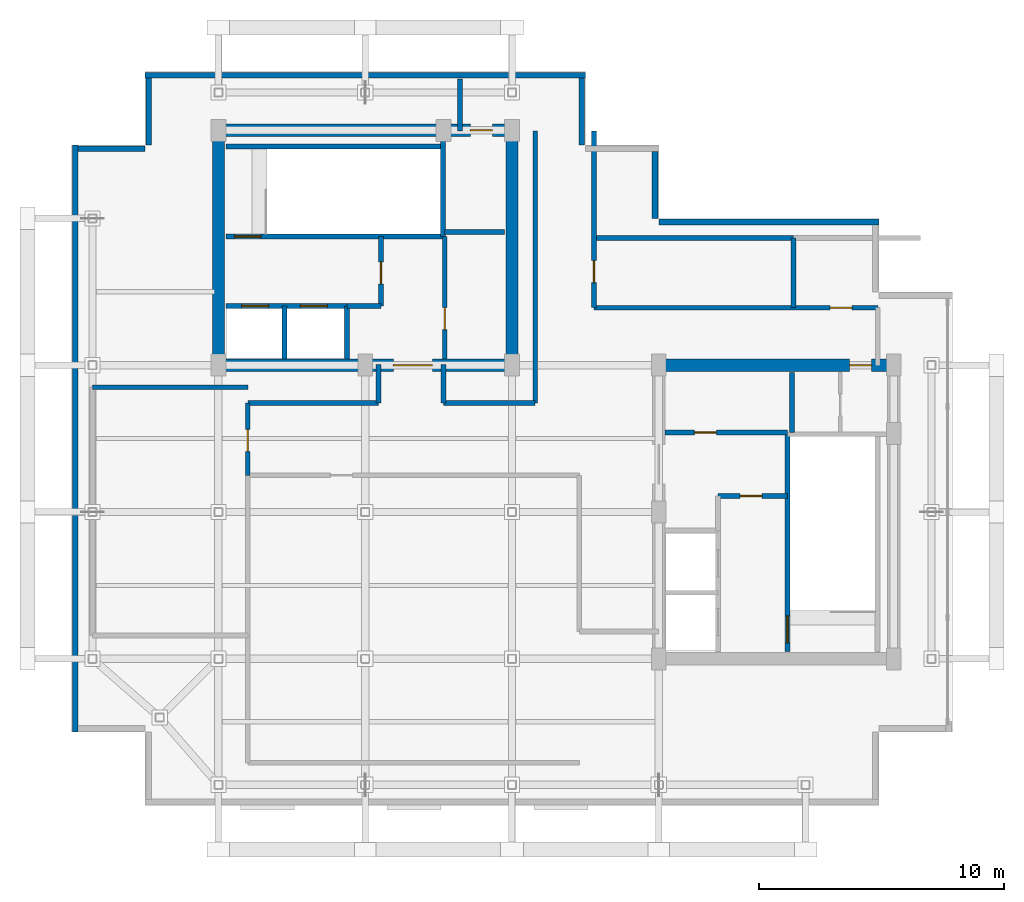
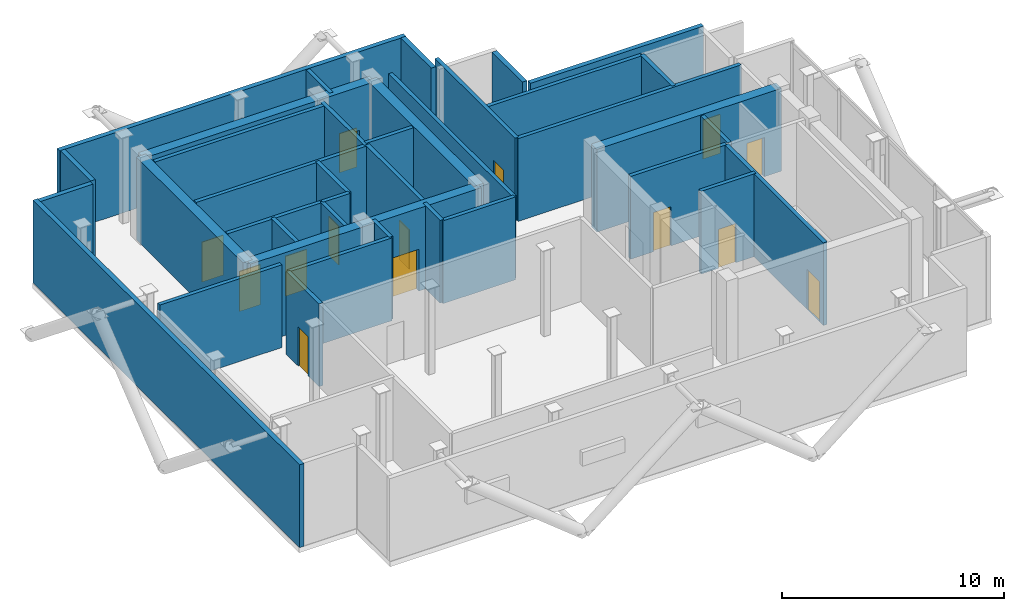
# One storey, part 4 of 6: 38 walls, 14 doors, 14 openings.
"""IFC4 building model written with IfcOpenShell, lengths in metres."""

from ifc_helpers import new_model, si_unit, direction, frame, frame_2d, origin, place, context, subcontext, project, spatial, rectangle, extrude, material, layer, layer_set, type_object, element, fill, save


model = new_model("IFC4")

# Units and contexts
model_context = context("Model", 3, precision=1e-05, world=origin(), true_north=direction((0.0, 1.0)))
body_context = subcontext(model_context, "Body", "Model", "MODEL_VIEW")
ifc_project = project(units=[si_unit("LENGTHUNIT", "METRE"), si_unit("AREAUNIT", "SQUARE_METRE"), si_unit("VOLUMEUNIT", "CUBIC_METRE"), si_unit("PLANEANGLEUNIT", "RADIAN"), si_unit("MASSUNIT", "GRAM", prefix="KILO"), si_unit("THERMODYNAMICTEMPERATUREUNIT", "KELVIN"), si_unit("POWERUNIT", "WATT")], contexts=[model_context])

# Site, building, storey
site_placement = place(None, origin())
site = spatial("IfcSite", under=ifc_project, at=site_placement, CompositionType="ELEMENT")
building_placement = place(site_placement, origin())
building = spatial("IfcBuilding", under=site, at=building_placement, Name="Svarakhadi Broadcast Tower", CompositionType="ELEMENT")
storey_placement = place(building_placement, frame((0.0, 0.0, 305.699951171875)))
storey = spatial("IfcBuildingStorey", under=building, at=storey_placement, Name="L77", CompositionType="ELEMENT", Elevation=305.699951171875)

# Walls
ifc_material_1 = material(Name="Concrete C40/50 (IS 456 M50)", Category="concrete")
ifc_layer_1 = layer(ifc_material_1, 0.239990234375)
ifc_layer_set_1 = layer_set([ifc_layer_1], Name="Concrete C40/50 (IS 456 M50)")
wall_type_1 = type_object("IfcWallType", Name="Wall_Ext_240", PredefinedType="SOLIDWALL", material=ifc_layer_set_1)
wall_1_placement = place(storey_placement, frame((0.14990234375, 3.0, 0.0), z_axis=(0.0, 0.0, 1.0), x_axis=(0.0, 1.0, 0.0)))
element("IfcWall", 1, at=wall_1_placement, inside=storey, type_object=wall_type_1, Name="L77 West Mechanical Acoustic Louvred Plant Wall", PredefinedType="SOLIDWALL", context=body_context, shape_type="SweptSolid", body=[
    extrude(rectangle(XDim=24.0, YDim=0.239990234375, at=frame_2d((12.0, 0.0))), origin(), (0.0, 0.0, 1.0), 4.550048828125),
])
wall_2_placement = place(storey_placement, frame((3.0, 29.85009765625, 0.0), z_axis=(0.0, 0.0, 1.0), x_axis=(1.0, 0.0, 0.0)))
element("IfcWall", 2, at=wall_2_placement, inside=storey, type_object=wall_type_1, Name="L77 North Mechanical Acoustic Plant Wall", PredefinedType="SOLIDWALL", context=body_context, shape_type="SweptSolid", body=[
    extrude(rectangle(XDim=18.0, YDim=0.239990234375, at=frame_2d((9.0, 0.0))), origin(), (0.0, 0.0, 1.0), 4.550048828125),
])
for number, where, z_axis, x_axis, name in (
    (3, (0.2548828125, 26.85009765625, 0.0), (0.0, 0.0, 1.0), (1.0, 0.0, 0.0), "L77 Perimeter Bronze Spandrel Closure Wall 02"),
    (4, (3.14990234375, 27.0, 0.0), (0.0, 0.0, 1.0), (0.0, 1.0, 0.0), "L77 Perimeter Bronze Spandrel Closure Wall 03"),
    (5, (20.85009765625, 29.7451171875, 0.0), (0.0, 0.0, 1.0), (0.0, -1.0, 0.0), "L77 Perimeter Bronze Spandrel Closure Wall 04"),
):
    element("IfcWall", number, at=place(storey_placement, frame(where, z_axis=z_axis, x_axis=x_axis)), inside=storey, type_object=wall_type_1, Name=name, PredefinedType="SOLIDWALL", context=body_context, shape_type="SweptSolid", body=[
        extrude(rectangle(XDim=2.7451171875, YDim=0.239990234375, at=frame_2d((1.37255859375, 0.0))), origin(), (0.0, 0.0, 1.0), 4.550048828125),
    ])
wall_3_placement = place(storey_placement, frame((23.85009765625, 26.72509765625, 0.0), z_axis=(0.0, 0.0, 1.0), x_axis=(0.0, -1.0, 0.0)))
element("IfcWall", 6, at=wall_3_placement, inside=storey, type_object=wall_type_1, Name="L77 Perimeter Bronze Spandrel Closure Wall 06", PredefinedType="SOLIDWALL", context=body_context, shape_type="SweptSolid", body=[
    extrude(rectangle(XDim=2.72509765625, YDim=0.239990234375, at=frame_2d((1.362548828125, 0.0))), origin(), (0.0, 0.0, 1.0), 4.550048828125),
])
wall_4_placement = place(storey_placement, frame((24.0, 23.85009765625, 0.0), z_axis=(0.0, 0.0, 1.0), x_axis=(1.0, 0.0, 0.0)))
element("IfcWall", 7, at=wall_4_placement, inside=storey, type_object=wall_type_1, Name="L77 Perimeter Bronze Spandrel Closure Wall 07", PredefinedType="SOLIDWALL", context=body_context, shape_type="SweptSolid", body=[
    extrude(rectangle(XDim=9.0, YDim=0.239990234375, at=frame_2d((4.5, 0.0))), origin(), (0.0, 0.0, 1.0), 4.550048828125),
])

# Wall, opening, door
ifc_layer_2 = layer(ifc_material_1, 0.199951171875)
ifc_layer_set_2 = layer_set([ifc_layer_2], Name="Concrete C40/50 (IS 456 M50)")
wall_type_2 = type_object("IfcWallType", Name="Wall_Fire_200", PredefinedType="SOLIDWALL", material=ifc_layer_set_2)
wall_5_placement = place(storey_placement, frame((15.25, 18.25, 0.0), z_axis=(0.0, 0.0, 1.0), x_axis=(0.0, 1.0, 0.0)))
wall_5 = element("IfcWall", 8, at=wall_5_placement, inside=storey, type_object=wall_type_2, Name="L77 Bank C West Motor Room Wall", PredefinedType="SOLIDWALL", context=body_context, shape_type="SweptSolid", body=[
    extrude(rectangle(XDim=5.010009765625, YDim=0.199951171875, at=frame_2d((2.5048828125, 0.0))), origin(), (0.0, 0.0, 1.0), 4.550048828125),
])
opening_1_placement = place(wall_5_placement, frame((1.199951171875, 0.0, 0.0)))
opening_1 = element("IfcOpeningElement", 9, at=opening_1_placement, cuts=wall_5, Name="Opening D-04", PredefinedType="OPENING", context=body_context, shape_type="SweptSolid", body=[
    extrude(rectangle(XDim=0.89990234375, YDim=2.14990234375, at=frame_2d((0.449951171875, 1.074951171875))), frame((0.0, 0.10986328125, 0.0), z_axis=(0.0, -1.0, 0.0), x_axis=(1.0, 0.0, 0.0)), (0.0, 0.0, 1.0), 0.219970703125),
])
ifc_material_2 = material(Name="Galvanised Powder-Coated Fire-Rated Steel Leaf", Category="steel")
door_type_1 = type_object("IfcDoorType", Name="Door_Fire_D04", OperationType="SINGLE_SWING_RIGHT", PredefinedType="DOOR", material=ifc_material_2)
door_1_placement = place(opening_1_placement, origin())
door_1 = element("IfcDoor", 10, at=door_1_placement, inside=storey, type_object=door_type_1, Name="L77 Bank C West Motor Room Door", OperationType="SINGLE_SWING_RIGHT", OverallHeight=2.14990234375, OverallWidth=0.89990234375, PredefinedType="DOOR", context=body_context, shape_type="SweptSolid", body=[
    extrude(rectangle(XDim=0.89990234375, YDim=2.14990234375, at=frame_2d((0.449951171875, 1.074951171875))), frame((0.0, 0.02490234375, 0.0), z_axis=(0.0, -1.0, 0.0), x_axis=(1.0, 0.0, 0.0)), (0.0, 0.0, 1.0), 0.050048828125),
])
fill(opening_1, door_1)

# Wall
wall_6_placement = place(storey_placement, frame((15.25, 23.449951171875, 0.0), z_axis=(0.0, 0.0, 1.0), x_axis=(1.0, 0.0, 0.0)))
element("IfcWall", 11, at=wall_6_placement, inside=storey, type_object=wall_type_2, Name="L77 Bank C West Motor Room North Wall", PredefinedType="SOLIDWALL", context=body_context, shape_type="SweptSolid", body=[
    extrude(rectangle(XDim=2.449951171875, YDim=0.199951171875, at=frame_2d((1.22509765625, 0.0))), origin(), (0.0, 0.0, 1.0), 4.550048828125),
])

# Wall, opening, door
wall_7_placement = place(storey_placement, frame((24.25, 15.25, 0.0), z_axis=(0.0, 0.0, 1.0), x_axis=(1.0, 0.0, 0.0)))
wall_7 = element("IfcWall", 12, at=wall_7_placement, inside=storey, type_object=wall_type_2, Name="L77 Bank C East Motor Room Wall", PredefinedType="SOLIDWALL", context=body_context, shape_type="SweptSolid", body=[
    extrude(rectangle(XDim=5.010009765625, YDim=0.199951171875, at=frame_2d((2.5048828125, 0.0))), origin(), (0.0, 0.0, 1.0), 4.550048828125),
])
opening_2_placement = place(wall_7_placement, frame((1.199951171875, 0.0, 0.0)))
opening_2 = element("IfcOpeningElement", 13, at=opening_2_placement, cuts=wall_7, Name="Opening D-03", PredefinedType="OPENING", context=body_context, shape_type="SweptSolid", body=[
    extrude(rectangle(XDim=0.89990234375, YDim=2.14990234375, at=frame_2d((0.449951171875, 1.074951171875))), frame((0.0, 0.10986328125, 0.0), z_axis=(0.0, -1.0, 0.0), x_axis=(1.0, 0.0, 0.0)), (0.0, 0.0, 1.0), 0.219970703125),
])
door_type_2 = type_object("IfcDoorType", Name="Door_Fire_D03", OperationType="SINGLE_SWING_LEFT", PredefinedType="DOOR", material=ifc_material_2)
door_2_placement = place(opening_2_placement, origin())
door_2 = element("IfcDoor", 14, at=door_2_placement, inside=storey, type_object=door_type_2, Name="L77 Bank C East Motor Room Door", OperationType="SINGLE_SWING_LEFT", OverallHeight=2.14990234375, OverallWidth=0.89990234375, PredefinedType="DOOR", context=body_context, shape_type="SweptSolid", body=[
    extrude(rectangle(XDim=0.89990234375, YDim=2.14990234375, at=frame_2d((0.449951171875, 1.074951171875))), frame((0.0, 0.02490234375, 0.0), z_axis=(0.0, -1.0, 0.0), x_axis=(1.0, 0.0, 0.0)), (0.0, 0.0, 1.0), 0.050048828125),
])
fill(opening_2, door_2)

# Wall
wall_8_placement = place(storey_placement, frame((29.449951171875, 15.25, 0.0), z_axis=(0.0, 0.0, 1.0), x_axis=(0.0, 1.0, 0.0)))
element("IfcWall", 15, at=wall_8_placement, inside=storey, type_object=wall_type_2, Name="L77 Bank C East Motor Room East Wall", PredefinedType="SOLIDWALL", context=body_context, shape_type="SweptSolid", body=[
    extrude(rectangle(XDim=2.449951171875, YDim=0.199951171875, at=frame_2d((1.22509765625, 0.0))), origin(), (0.0, 0.0, 1.0), 4.550048828125),
])

# Wall, opening, door
wall_9_placement = place(storey_placement, frame((7.199951171875, 13.5, 0.0), z_axis=(0.0, 0.0, 1.0), x_axis=(0.0, 1.0, 0.0)))
wall_9 = element("IfcWall", 16, at=wall_9_placement, inside=storey, type_object=wall_type_2, Name="L77 Plant Service Corridor Wall", PredefinedType="SOLIDWALL", context=body_context, shape_type="SweptSolid", body=[
    extrude(rectangle(XDim=2.949951171875, YDim=0.199951171875, at=frame_2d((1.47509765625, 0.0))), origin(), (0.0, 0.0, 1.0), 4.550048828125),
])
opening_3_placement = place(wall_9_placement, frame((0.97509765625, 0.0, 0.0)))
opening_3 = element("IfcOpeningElement", 17, at=opening_3_placement, cuts=wall_9, Name="Opening D-04", PredefinedType="OPENING", context=body_context, shape_type="SweptSolid", body=[
    extrude(rectangle(XDim=0.89990234375, YDim=2.14990234375, at=frame_2d((0.449951171875, 1.074951171875))), frame((0.0, 0.10986328125, 0.0), z_axis=(0.0, -1.0, 0.0), x_axis=(1.0, 0.0, 0.0)), (0.0, 0.0, 1.0), 0.219970703125),
])
door_3_placement = place(opening_3_placement, origin())
door_3 = element("IfcDoor", 18, at=door_3_placement, inside=storey, type_object=door_type_1, Name="L77 Upper Zone Transformer Plant Room Door", OperationType="SINGLE_SWING_RIGHT", OverallHeight=2.14990234375, OverallWidth=0.89990234375, PredefinedType="DOOR", context=body_context, shape_type="SweptSolid", body=[
    extrude(rectangle(XDim=0.89990234375, YDim=2.14990234375, at=frame_2d((0.449951171875, 1.074951171875))), frame((0.0, 0.02490234375, 0.0), z_axis=(0.0, -1.0, 0.0), x_axis=(1.0, 0.0, 0.0)), (0.0, 0.0, 1.0), 0.050048828125),
])
fill(opening_3, door_3)

# Walls
wall_10_placement = place(storey_placement, frame((7.199951171875, 16.449951171875, 0.0), z_axis=(0.0, 0.0, 1.0), x_axis=(1.0, 0.0, 0.0)))
element("IfcWall", 19, at=wall_10_placement, inside=storey, type_object=wall_type_2, Name="L77 Plant Service Corridor Wall", PredefinedType="SOLIDWALL", context=body_context, shape_type="SweptSolid", body=[
    extrude(rectangle(XDim=5.35009765625, YDim=0.199951171875, at=frame_2d((2.675048828125, 0.0))), origin(), (0.0, 0.0, 1.0), 4.550048828125),
])
for number, where, z_axis, x_axis, name in (
    (20, (12.550048828125, 16.449951171875, 0.0), (0.0, 0.0, 1.0), (0.0, 1.0, 0.0), "L77 Plant Service Corridor Wall"),
    (21, (15.199951171875, 18.02001953125, 0.0), (0.0, 0.0, 1.0), (0.0, -1.0, 0.0), "L77 Plant Service Corridor Wall"),
):
    element("IfcWall", number, at=place(storey_placement, frame(where, z_axis=z_axis, x_axis=x_axis)), inside=storey, type_object=wall_type_2, Name=name, PredefinedType="SOLIDWALL", context=body_context, shape_type="SweptSolid", body=[
        extrude(rectangle(XDim=1.570068359375, YDim=0.199951171875, at=frame_2d((0.78515625, 0.0))), origin(), (0.0, 0.0, 1.0), 4.550048828125),
    ])
wall_11_placement = place(storey_placement, frame((15.199951171875, 16.449951171875, 0.0), z_axis=(0.0, 0.0, 1.0), x_axis=(1.0, 0.0, 0.0)))
element("IfcWall", 22, at=wall_11_placement, inside=storey, type_object=wall_type_2, Name="L77 Plant Service Corridor Wall", PredefinedType="SOLIDWALL", context=body_context, shape_type="SweptSolid", body=[
    extrude(rectangle(XDim=3.75, YDim=0.199951171875, at=frame_2d((1.875, 0.0))), origin(), (0.0, 0.0, 1.0), 4.550048828125),
])
wall_12_placement = place(storey_placement, frame((18.949951171875, 16.449951171875, 0.0), z_axis=(0.0, 0.0, 1.0), x_axis=(0.0, 1.0, 0.0)))
element("IfcWall", 23, at=wall_12_placement, inside=storey, type_object=wall_type_2, Name="L77 Plant Service Corridor Wall", PredefinedType="SOLIDWALL", context=body_context, shape_type="SweptSolid", body=[
    extrude(rectangle(XDim=11.130126953125, YDim=0.199951171875, at=frame_2d((5.56494140625, 0.0))), origin(), (0.0, 0.0, 1.0), 4.550048828125),
])
wall_13_placement = place(storey_placement, frame((15.8798828125, 27.580078125, 0.0), z_axis=(0.0, 0.0, 1.0), x_axis=(0.0, 1.0, 0.0)))
element("IfcWall", 24, at=wall_13_placement, inside=storey, type_object=wall_type_2, Name="L77 Plant Service Corridor Wall", PredefinedType="SOLIDWALL", context=body_context, shape_type="SweptSolid", body=[
    extrude(rectangle(XDim=2.119873046875, YDim=0.199951171875, at=frame_2d((1.06005859375, 0.0))), origin(), (0.0, 0.0, 1.0), 4.550048828125),
])

# Wall, opening, door
wall_14_placement = place(storey_placement, frame((21.35009765625, 27.580078125, 0.0), z_axis=(0.0, 0.0, 1.0), x_axis=(0.0, -1.0, 0.0)))
wall_14 = element("IfcWall", 25, at=wall_14_placement, inside=storey, type_object=wall_type_2, Name="L77 Plant Service Corridor Wall", PredefinedType="SOLIDWALL", context=body_context, shape_type="SweptSolid", body=[
    extrude(rectangle(XDim=7.22998046875, YDim=0.199951171875, at=frame_2d((3.614990234375, 0.0))), origin(), (0.0, 0.0, 1.0), 4.550048828125),
])
opening_4_placement = place(wall_14_placement, frame((5.304931640625, 0.0, 0.0)))
opening_4 = element("IfcOpeningElement", 26, at=opening_4_placement, cuts=wall_14, Name="Opening D-03", PredefinedType="OPENING", context=body_context, shape_type="SweptSolid", body=[
    extrude(rectangle(XDim=0.89990234375, YDim=2.14990234375, at=frame_2d((0.449951171875, 1.074951171875))), frame((0.0, 0.10986328125, 0.0), z_axis=(0.0, -1.0, 0.0), x_axis=(1.0, 0.0, 0.0)), (0.0, 0.0, 1.0), 0.219970703125),
])
door_4_placement = place(opening_4_placement, origin())
door_4 = element("IfcDoor", 27, at=door_4_placement, inside=storey, type_object=door_type_2, Name="L77 UHF Digital Transmitter Cooling Plant Room Door", OperationType="SINGLE_SWING_LEFT", OverallHeight=2.14990234375, OverallWidth=0.89990234375, PredefinedType="DOOR", context=body_context, shape_type="SweptSolid", body=[
    extrude(rectangle(XDim=0.89990234375, YDim=2.14990234375, at=frame_2d((0.449951171875, 1.074951171875))), frame((0.0, 0.02490234375, 0.0), z_axis=(0.0, -1.0, 0.0), x_axis=(1.0, 0.0, 0.0)), (0.0, 0.0, 1.0), 0.050048828125),
])
fill(opening_4, door_4)

wall_15_placement = place(storey_placement, frame((21.35009765625, 20.35009765625, 0.0), z_axis=(0.0, 0.0, 1.0), x_axis=(1.0, 0.0, 0.0)))
wall_15 = element("IfcWall", 28, at=wall_15_placement, inside=storey, type_object=wall_type_2, Name="L77 Plant Service Corridor Wall", PredefinedType="SOLIDWALL", context=body_context, shape_type="SweptSolid", body=[
    extrude(rectangle(XDim=11.599853515625, YDim=0.199951171875, at=frame_2d((5.7998046875, 0.0))), origin(), (0.0, 0.0, 1.0), 4.550048828125),
])
opening_5_placement = place(wall_15_placement, frame((9.64990234375, 0.0, 0.0)))
opening_5 = element("IfcOpeningElement", 29, at=opening_5_placement, cuts=wall_15, Name="Opening D-04", PredefinedType="OPENING", context=body_context, shape_type="SweptSolid", body=[
    extrude(rectangle(XDim=0.89990234375, YDim=2.14990234375, at=frame_2d((0.449951171875, 1.074951171875))), frame((0.0, 0.10986328125, 0.0), z_axis=(0.0, -1.0, 0.0), x_axis=(1.0, 0.0, 0.0)), (0.0, 0.0, 1.0), 0.219970703125),
])
door_5_placement = place(opening_5_placement, origin())
door_5 = element("IfcDoor", 30, at=door_5_placement, inside=storey, type_object=door_type_1, Name="L77 Crown Harmonic Filter Plant Room Door", OperationType="SINGLE_SWING_RIGHT", OverallHeight=2.14990234375, OverallWidth=0.89990234375, PredefinedType="DOOR", context=body_context, shape_type="SweptSolid", body=[
    extrude(rectangle(XDim=0.89990234375, YDim=2.14990234375, at=frame_2d((0.449951171875, 1.074951171875))), frame((0.0, 0.02490234375, 0.0), z_axis=(0.0, -1.0, 0.0), x_axis=(1.0, 0.0, 0.0)), (0.0, 0.0, 1.0), 0.050048828125),
])
fill(opening_5, door_5)

# Walls
wall_16_placement = place(storey_placement, frame((0.85009765625, 17.10009765625, 0.0), z_axis=(0.0, 0.0, 1.0), x_axis=(1.0, 0.0, 0.0)))
element("IfcWall", 31, at=wall_16_placement, inside=storey, type_object=wall_type_2, Name="L77 Upper Zone Transformer Plant Room Wall", PredefinedType="SOLIDWALL", context=body_context, shape_type="SweptSolid", body=[
    extrude(rectangle(XDim=6.349853515625, YDim=0.199951171875, at=frame_2d((3.1748046875, 0.0))), origin(), (0.0, 0.0, 1.0), 4.550048828125),
])
wall_17_placement = place(storey_placement, frame((21.35009765625, 23.199951171875, 0.0), z_axis=(0.0, 0.0, 1.0), x_axis=(1.0, 0.0, 0.0)))
element("IfcWall", 32, at=wall_17_placement, inside=storey, type_object=wall_type_2, Name="L77 UHF Digital Transmitter Cooling Plant Room Wall", PredefinedType="SOLIDWALL", context=body_context, shape_type="SweptSolid", body=[
    extrude(rectangle(XDim=8.14990234375, YDim=0.199951171875, at=frame_2d((4.074951171875, 0.0))), origin(), (0.0, 0.0, 1.0), 4.550048828125),
])
wall_18_placement = place(storey_placement, frame((29.5, 20.35009765625, 0.0), z_axis=(0.0, 0.0, 1.0), x_axis=(0.0, 1.0, 0.0)))
element("IfcWall", 33, at=wall_18_placement, inside=storey, type_object=wall_type_2, Name="L77 UHF Digital Transmitter Cooling Plant Room Wall", PredefinedType="SOLIDWALL", context=body_context, shape_type="SweptSolid", body=[
    extrude(rectangle(XDim=2.849853515625, YDim=0.199951171875, at=frame_2d((1.4248046875, 0.0))), origin(), (0.0, 0.0, 1.0), 4.550048828125),
])

# Wall, opening, door
ifc_material_3 = material(Name="Concrete C50/60 (IS 456 M60)", Category="concrete")
ifc_layer_3 = layer(ifc_material_3, 0.199951171875)
ifc_layer_set_3 = layer_set([ifc_layer_3], Name="Concrete C50/60 (IS 456 M60)")
wall_type_3 = type_object("IfcWallType", Name="Wall_Shear_200", PredefinedType="SHEAR", material=ifc_layer_set_3)
wall_19_placement = place(storey_placement, frame((6.300048828125, 23.260009765625, 0.0), z_axis=(0.0, 0.0, 1.0), x_axis=(1.0, 0.0, 0.0)))
wall_19 = element("IfcWall", 34, at=wall_19_placement, inside=storey, type_object=wall_type_3, Name="L77 Stair ST-01 South RC Shaft Wall", PredefinedType="SHEAR", context=body_context, shape_type="SweptSolid", body=[
    extrude(rectangle(XDim=8.8798828125, YDim=0.199951171875, at=frame_2d((4.43994140625, 0.0))), origin(), (0.0, 0.0, 1.0), 4.550048828125),
])
opening_6_placement = place(wall_19_placement, frame((0.35009765625, 0.0, 0.0)))
opening_6 = element("IfcOpeningElement", 35, at=opening_6_placement, cuts=wall_19, Name="Opening D-01", PredefinedType="OPENING", context=body_context, shape_type="SweptSolid", body=[
    extrude(rectangle(XDim=1.10009765625, YDim=2.199951171875, at=frame_2d((0.550048828125, 1.10009765625))), frame((0.0, 0.10986328125, 0.0), z_axis=(0.0, -1.0, 0.0), x_axis=(1.0, 0.0, 0.0)), (0.0, 0.0, 1.0), 0.219970703125),
])
door_type_3 = type_object("IfcDoorType", Name="Door_Stair_D01", OperationType="SINGLE_SWING_LEFT", PredefinedType="DOOR", material=ifc_material_2)
door_6_placement = place(opening_6_placement, origin())
door_6 = element("IfcDoor", 36, at=door_6_placement, inside=storey, type_object=door_type_3, Name="L77 Protected Exit Stair ST-01 Fire Door", OperationType="SINGLE_SWING_LEFT", OverallHeight=2.199951171875, OverallWidth=1.10009765625, PredefinedType="DOOR", context=body_context, shape_type="SweptSolid", body=[
    extrude(rectangle(XDim=1.10009765625, YDim=2.199951171875, at=frame_2d((0.550048828125, 1.10009765625))), frame((0.0, 0.02490234375, 0.0), z_axis=(0.0, -1.0, 0.0), x_axis=(1.0, 0.0, 0.0)), (0.0, 0.0, 1.0), 0.050048828125),
])
fill(opening_6, door_6)

# Walls
wall_20_placement = place(storey_placement, frame((6.300048828125, 26.93994140625, 0.0), z_axis=(0.0, 0.0, 1.0), x_axis=(1.0, 0.0, 0.0)))
element("IfcWall", 37, at=wall_20_placement, inside=storey, type_object=wall_type_3, Name="L77 Stair ST-01 North RC Shaft Wall", PredefinedType="SHEAR", context=body_context, shape_type="SweptSolid", body=[
    extrude(rectangle(XDim=8.8798828125, YDim=0.199951171875, at=frame_2d((4.43994140625, 0.0))), origin(), (0.0, 0.0, 1.0), 4.550048828125),
])
wall_21_placement = place(storey_placement, frame((15.179931640625, 23.260009765625, 0.0), z_axis=(0.0, 0.0, 1.0), x_axis=(0.0, 1.0, 0.0)))
element("IfcWall", 38, at=wall_21_placement, inside=storey, type_object=wall_type_3, Name="L77 Stair ST-01 East RC Shaft Wall", PredefinedType="SHEAR", context=body_context, shape_type="SweptSolid", body=[
    extrude(rectangle(XDim=4.0400390625, YDim=0.199951171875, at=frame_2d((2.02001953125, 0.0))), origin(), (0.0, 0.0, 1.0), 4.550048828125),
])

# Wall, opening, door
wall_22_placement = place(storey_placement, frame((29.260009765625, 6.300048828125, 0.0), z_axis=(0.0, 0.0, 1.0), x_axis=(0.0, 1.0, 0.0)))
wall_22 = element("IfcWall", 39, at=wall_22_placement, inside=storey, type_object=wall_type_3, Name="L77 Stair ST-02 West RC Shaft Wall", PredefinedType="SHEAR", context=body_context, shape_type="SweptSolid", body=[
    extrude(rectangle(XDim=8.8798828125, YDim=0.199951171875, at=frame_2d((4.43994140625, 0.0))), origin(), (0.0, 0.0, 1.0), 4.550048828125),
])
opening_7_placement = place(wall_22_placement, frame((0.35009765625, 0.0, 0.0)))
opening_7 = element("IfcOpeningElement", 40, at=opening_7_placement, cuts=wall_22, Name="Opening D-02", PredefinedType="OPENING", context=body_context, shape_type="SweptSolid", body=[
    extrude(rectangle(XDim=1.10009765625, YDim=2.199951171875, at=frame_2d((0.550048828125, 1.10009765625))), frame((0.0, 0.10986328125, 0.0), z_axis=(0.0, -1.0, 0.0), x_axis=(1.0, 0.0, 0.0)), (0.0, 0.0, 1.0), 0.219970703125),
])
door_type_4 = type_object("IfcDoorType", Name="Door_Stair_D02", OperationType="SINGLE_SWING_RIGHT", PredefinedType="DOOR", material=ifc_material_2)
door_7_placement = place(opening_7_placement, origin())
door_7 = element("IfcDoor", 41, at=door_7_placement, inside=storey, type_object=door_type_4, Name="L77 Protected Exit Stair ST-02 Fire Door", OperationType="SINGLE_SWING_RIGHT", OverallHeight=2.199951171875, OverallWidth=1.10009765625, PredefinedType="DOOR", context=body_context, shape_type="SweptSolid", body=[
    extrude(rectangle(XDim=1.10009765625, YDim=2.199951171875, at=frame_2d((0.550048828125, 1.10009765625))), frame((0.0, 0.02490234375, 0.0), z_axis=(0.0, -1.0, 0.0), x_axis=(1.0, 0.0, 0.0)), (0.0, 0.0, 1.0), 0.050048828125),
])
fill(opening_7, door_7)

# Wall, openings, doors
wall_23_placement = place(storey_placement, frame((6.300048828125, 20.419921875, 0.0), z_axis=(0.0, 0.0, 1.0), x_axis=(1.0, 0.0, 0.0)))
wall_23 = element("IfcWall", 42, at=wall_23_placement, inside=storey, type_object=wall_type_3, Name="L77 Firefighting Lift LF-01/02 Shaft Wall", PredefinedType="SHEAR", context=body_context, shape_type="SweptSolid", body=[
    extrude(rectangle(XDim=4.949951171875, YDim=0.199951171875, at=frame_2d((2.47509765625, 0.0))), origin(), (0.0, 0.0, 1.0), 4.550048828125),
])
opening_8_placement = place(wall_23_placement, frame((0.64990234375, 0.0, 0.0)))
opening_8 = element("IfcOpeningElement", 43, at=opening_8_placement, cuts=wall_23, Name="Opening LD-01", PredefinedType="OPENING", context=body_context, shape_type="SweptSolid", body=[
    extrude(rectangle(XDim=1.10009765625, YDim=2.199951171875, at=frame_2d((0.550048828125, 1.10009765625))), frame((0.0, 0.10986328125, 0.0), z_axis=(0.0, -1.0, 0.0), x_axis=(1.0, 0.0, 0.0)), (0.0, 0.0, 1.0), 0.219970703125),
])
opening_9_placement = place(wall_23_placement, frame((3.050048828125, 0.0, 0.0)))
opening_9 = element("IfcOpeningElement", 44, at=opening_9_placement, cuts=wall_23, Name="Opening LD-01", PredefinedType="OPENING", context=body_context, shape_type="SweptSolid", body=[
    extrude(rectangle(XDim=1.10009765625, YDim=2.199951171875, at=frame_2d((0.550048828125, 1.10009765625))), frame((0.0, 0.10986328125, 0.0), z_axis=(0.0, -1.0, 0.0), x_axis=(1.0, 0.0, 0.0)), (0.0, 0.0, 1.0), 0.219970703125),
])
door_type_5 = type_object("IfcDoorType", Name="Door_Lift_LD01", OperationType="SLIDING_TO_LEFT", PredefinedType="DOOR", material=ifc_material_2)
door_8_placement = place(opening_8_placement, origin())
door_8 = element("IfcDoor", 45, at=door_8_placement, inside=storey, type_object=door_type_5, Name="L77 Firefighting Lift LF-01 Landing Door", OperationType="SLIDING_TO_LEFT", OverallHeight=2.199951171875, OverallWidth=1.10009765625, PredefinedType="DOOR", context=body_context, shape_type="SweptSolid", body=[
    extrude(rectangle(XDim=1.10009765625, YDim=2.199951171875, at=frame_2d((0.550048828125, 1.10009765625))), frame((0.0, 0.02490234375, 0.0), z_axis=(0.0, -1.0, 0.0), x_axis=(1.0, 0.0, 0.0)), (0.0, 0.0, 1.0), 0.050048828125),
])
fill(opening_8, door_8)
door_9_placement = place(opening_9_placement, origin())
door_9 = element("IfcDoor", 46, at=door_9_placement, inside=storey, type_object=door_type_5, Name="L77 Firefighting Lift LF-02 Landing Door", OperationType="SLIDING_TO_LEFT", OverallHeight=2.199951171875, OverallWidth=1.10009765625, PredefinedType="DOOR", context=body_context, shape_type="SweptSolid", body=[
    extrude(rectangle(XDim=1.10009765625, YDim=2.199951171875, at=frame_2d((0.550048828125, 1.10009765625))), frame((0.0, 0.02490234375, 0.0), z_axis=(0.0, -1.0, 0.0), x_axis=(1.0, 0.0, 0.0)), (0.0, 0.0, 1.0), 0.050048828125),
])
fill(opening_9, door_9)

# Walls
for number, where, z_axis, x_axis, name in (
    (47, (8.699951171875, 18.25, 0.0), (0.0, 0.0, 1.0), (0.0, 1.0, 0.0), "L77 Firefighting Lift LF-01/02 Divider Wall"),
    (48, (11.25, 18.25, 0.0), (0.0, 0.0, 1.0), (0.0, 1.0, 0.0), "L77 Firefighting Lift LF-02 East Wall"),
):
    element("IfcWall", number, at=place(storey_placement, frame(where, z_axis=z_axis, x_axis=x_axis)), inside=storey, type_object=wall_type_3, Name=name, PredefinedType="SHEAR", context=body_context, shape_type="SweptSolid", body=[
        extrude(rectangle(XDim=2.169921875, YDim=0.199951171875, at=frame_2d((1.0849609375, 0.0))), origin(), (0.0, 0.0, 1.0), 4.550048828125),
    ])
wall_24_placement = place(storey_placement, frame((11.25, 20.419921875, 0.0), z_axis=(0.0, 0.0, 1.0), x_axis=(1.0, 0.0, 0.0)))
element("IfcWall", 49, at=wall_24_placement, inside=storey, type_object=wall_type_3, Name="L77 West Firefighting Lobby South Wall", PredefinedType="SHEAR", context=body_context, shape_type="SweptSolid", body=[
    extrude(rectangle(XDim=1.39990234375, YDim=0.199951171875, at=frame_2d((0.699951171875, 0.0))), origin(), (0.0, 0.0, 1.0), 4.550048828125),
])

# Wall, opening, door
wall_25_placement = place(storey_placement, frame((12.64990234375, 20.419921875, 0.0), z_axis=(0.0, 0.0, 1.0), x_axis=(0.0, 1.0, 0.0)))
wall_25 = element("IfcWall", 50, at=wall_25_placement, inside=storey, type_object=wall_type_3, Name="L77 West Firefighting Lobby East Wall", PredefinedType="SHEAR", context=body_context, shape_type="SweptSolid", body=[
    extrude(rectangle(XDim=2.840087890625, YDim=0.199951171875, at=frame_2d((1.419921875, 0.0))), origin(), (0.0, 0.0, 1.0), 4.550048828125),
])
opening_10_placement = place(wall_25_placement, frame((0.89990234375, 0.0, 0.0)))
opening_10 = element("IfcOpeningElement", 51, at=opening_10_placement, cuts=wall_25, Name="Opening D-04", PredefinedType="OPENING", context=body_context, shape_type="SweptSolid", body=[
    extrude(rectangle(XDim=0.89990234375, YDim=2.14990234375, at=frame_2d((0.449951171875, 1.074951171875))), frame((0.0, 0.10986328125, 0.0), z_axis=(0.0, -1.0, 0.0), x_axis=(1.0, 0.0, 0.0)), (0.0, 0.0, 1.0), 0.219970703125),
])
door_10_placement = place(opening_10_placement, origin())
door_10 = element("IfcDoor", 52, at=door_10_placement, inside=storey, type_object=door_type_1, Name="L77 West Firefighting Lobby Fire Door", OperationType="SINGLE_SWING_RIGHT", OverallHeight=2.14990234375, OverallWidth=0.89990234375, PredefinedType="DOOR", context=body_context, shape_type="SweptSolid", body=[
    extrude(rectangle(XDim=0.89990234375, YDim=2.14990234375, at=frame_2d((0.449951171875, 1.074951171875))), frame((0.0, 0.02490234375, 0.0), z_axis=(0.0, -1.0, 0.0), x_axis=(1.0, 0.0, 0.0)), (0.0, 0.0, 1.0), 0.050048828125),
])
fill(opening_10, door_10)

wall_26_placement = place(storey_placement, frame((26.419921875, 12.64990234375, 0.0), z_axis=(0.0, 0.0, 1.0), x_axis=(1.0, 0.0, 0.0)))
wall_26 = element("IfcWall", 53, at=wall_26_placement, inside=storey, type_object=wall_type_3, Name="L77 East Firefighting Lobby North Wall", PredefinedType="SHEAR", context=body_context, shape_type="SweptSolid", body=[
    extrude(rectangle(XDim=2.840087890625, YDim=0.199951171875, at=frame_2d((1.419921875, 0.0))), origin(), (0.0, 0.0, 1.0), 4.550048828125),
])
opening_11_placement = place(wall_26_placement, frame((0.89990234375, 0.0, 0.0)))
opening_11 = element("IfcOpeningElement", 54, at=opening_11_placement, cuts=wall_26, Name="Opening D-03", PredefinedType="OPENING", context=body_context, shape_type="SweptSolid", body=[
    extrude(rectangle(XDim=0.89990234375, YDim=2.14990234375, at=frame_2d((0.449951171875, 1.074951171875))), frame((0.0, 0.10986328125, 0.0), z_axis=(0.0, -1.0, 0.0), x_axis=(1.0, 0.0, 0.0)), (0.0, 0.0, 1.0), 0.219970703125),
])
door_11_placement = place(opening_11_placement, origin())
door_11 = element("IfcDoor", 55, at=door_11_placement, inside=storey, type_object=door_type_2, Name="L77 East Firefighting Lobby Fire Door", OperationType="SINGLE_SWING_LEFT", OverallHeight=2.14990234375, OverallWidth=0.89990234375, PredefinedType="DOOR", context=body_context, shape_type="SweptSolid", body=[
    extrude(rectangle(XDim=0.89990234375, YDim=2.14990234375, at=frame_2d((0.449951171875, 1.074951171875))), frame((0.0, 0.02490234375, 0.0), z_axis=(0.0, -1.0, 0.0), x_axis=(1.0, 0.0, 0.0)), (0.0, 0.0, 1.0), 0.050048828125),
])
fill(opening_11, door_11)

ifc_layer_4 = layer(ifc_material_3, 0.5)
ifc_layer_set_4 = layer_set([ifc_layer_4], Name="Concrete C50/60 (IS 456 M60)")
wall_type_4 = type_object("IfcWallType", Name="Wall_Shear_500", PredefinedType="SHEAR", material=ifc_layer_set_4)
wall_27_placement = place(storey_placement, frame((6.0, 18.0, 0.0), z_axis=(0.0, 0.0, 1.0), x_axis=(1.0, 0.0, 0.0)))
wall_27 = element("IfcWall", 56, at=wall_27_placement, inside=storey, type_object=wall_type_4, Name="L77 West Core South Shear Wall", PredefinedType="SHEAR", context=body_context, shape_type="SweptSolid", body=[
    extrude(rectangle(XDim=12.0, YDim=0.5, at=frame_2d((6.0, 0.0))), origin(), (0.0, 0.0, 1.0), 4.550048828125),
])
opening_12_placement = place(wall_27_placement, frame((7.14990234375, 0.0, 0.0)))
opening_12 = element("IfcOpeningElement", 57, at=opening_12_placement, cuts=wall_27, Name="Opening D-05", PredefinedType="OPENING", context=body_context, shape_type="SweptSolid", body=[
    extrude(rectangle(XDim=1.60009765625, YDim=2.300048828125, at=frame_2d((0.800048828125, 1.14990234375))), frame((0.0, 0.260009765625, 0.0), z_axis=(0.0, -1.0, 0.0), x_axis=(1.0, 0.0, 0.0)), (0.0, 0.0, 1.0), 0.52001953125),
])
ifc_material_4 = material(Name="Anodised Bronze Aluminium AA 6063-T6", Category="aluminium")
door_type_6 = type_object("IfcDoorType", Name="Door_Lobby_D05", OperationType="DOUBLE_DOOR_SLIDING", PredefinedType="DOOR", material=ifc_material_4)
door_12_placement = place(opening_12_placement, origin())
door_12 = element("IfcDoor", 58, at=door_12_placement, inside=storey, type_object=door_type_6, Name="L77 West Core Passenger Lift Lobby Entrance Door", OperationType="DOUBLE_DOOR_SLIDING", OverallHeight=2.300048828125, OverallWidth=1.60009765625, PredefinedType="DOOR", context=body_context, shape_type="SweptSolid", body=[
    extrude(rectangle(XDim=1.60009765625, YDim=2.300048828125, at=frame_2d((0.800048828125, 1.14990234375))), frame((0.0, 0.02490234375, 0.0), z_axis=(0.0, -1.0, 0.0), x_axis=(1.0, 0.0, 0.0)), (0.0, 0.0, 1.0), 0.050048828125),
])
fill(opening_12, door_12)

wall_28_placement = place(storey_placement, frame((6.0, 27.60009765625, 0.0), z_axis=(0.0, 0.0, 1.0), x_axis=(1.0, 0.0, 0.0)))
wall_28 = element("IfcWall", 59, at=wall_28_placement, inside=storey, type_object=wall_type_4, Name="L77 West Core North Shear Wall", PredefinedType="SHEAR", context=body_context, shape_type="SweptSolid", body=[
    extrude(rectangle(XDim=12.0, YDim=0.5, at=frame_2d((6.0, 0.0))), origin(), (0.0, 0.0, 1.0), 4.550048828125),
])
opening_13_placement = place(wall_28_placement, frame((10.300048828125, 0.0, 0.0)))
opening_13 = element("IfcOpeningElement", 60, at=opening_13_placement, cuts=wall_28, Name="Opening D-03", PredefinedType="OPENING", context=body_context, shape_type="SweptSolid", body=[
    extrude(rectangle(XDim=0.89990234375, YDim=2.14990234375, at=frame_2d((0.449951171875, 1.074951171875))), frame((0.0, 0.260009765625, 0.0), z_axis=(0.0, -1.0, 0.0), x_axis=(1.0, 0.0, 0.0)), (0.0, 0.0, 1.0), 0.52001953125),
])
door_13_placement = place(opening_13_placement, origin())
door_13 = element("IfcDoor", 61, at=door_13_placement, inside=storey, type_object=door_type_2, Name="L77 Core Meter Cupboard Door", OperationType="SINGLE_SWING_LEFT", OverallHeight=2.14990234375, OverallWidth=0.89990234375, PredefinedType="DOOR", context=body_context, shape_type="SweptSolid", body=[
    extrude(rectangle(XDim=0.89990234375, YDim=2.14990234375, at=frame_2d((0.449951171875, 1.074951171875))), frame((0.0, 0.02490234375, 0.0), z_axis=(0.0, -1.0, 0.0), x_axis=(1.0, 0.0, 0.0)), (0.0, 0.0, 1.0), 0.050048828125),
])
fill(opening_13, door_13)

# Walls
for number, where, z_axis, x_axis, name in (
    (62, (6.0, 18.0, 0.0), (0.0, 0.0, 1.0), (0.0, 1.0, 0.0), "L77 West Core West Shear Wall"),
    (63, (18.0, 18.0, 0.0), (0.0, 0.0, 1.0), (0.0, 1.0, 0.0), "L77 West Core East Shear Wall"),
):
    element("IfcWall", number, at=place(storey_placement, frame(where, z_axis=z_axis, x_axis=x_axis)), inside=storey, type_object=wall_type_4, Name=name, PredefinedType="SHEAR", context=body_context, shape_type="SweptSolid", body=[
        extrude(rectangle(XDim=9.60009765625, YDim=0.5, at=frame_2d((4.800048828125, 0.0))), origin(), (0.0, 0.0, 1.0), 4.550048828125),
    ])

# Wall, opening, door
wall_29_placement = place(storey_placement, frame((24.0, 18.0, 0.0), z_axis=(0.0, 0.0, 1.0), x_axis=(1.0, 0.0, 0.0)))
wall_29 = element("IfcWall", 64, at=wall_29_placement, inside=storey, type_object=wall_type_4, Name="L77 East Core North Shear Wall", PredefinedType="SHEAR", context=body_context, shape_type="SweptSolid", body=[
    extrude(rectangle(XDim=9.60009765625, YDim=0.5, at=frame_2d((4.800048828125, 0.0))), origin(), (0.0, 0.0, 1.0), 4.550048828125),
])
opening_14_placement = place(wall_29_placement, frame((7.800048828125, 0.0, 0.0)))
opening_14 = element("IfcOpeningElement", 65, at=opening_14_placement, cuts=wall_29, Name="Opening D-03", PredefinedType="OPENING", context=body_context, shape_type="SweptSolid", body=[
    extrude(rectangle(XDim=0.89990234375, YDim=2.14990234375, at=frame_2d((0.449951171875, 1.074951171875))), frame((0.0, 0.260009765625, 0.0), z_axis=(0.0, -1.0, 0.0), x_axis=(1.0, 0.0, 0.0)), (0.0, 0.0, 1.0), 0.52001953125),
])
door_14_placement = place(opening_14_placement, origin())
door_14 = element("IfcDoor", 66, at=door_14_placement, inside=storey, type_object=door_type_2, Name="L77 Core Outer Service Store Door", OperationType="SINGLE_SWING_LEFT", OverallHeight=2.14990234375, OverallWidth=0.89990234375, PredefinedType="DOOR", context=body_context, shape_type="SweptSolid", body=[
    extrude(rectangle(XDim=0.89990234375, YDim=2.14990234375, at=frame_2d((0.449951171875, 1.074951171875))), frame((0.0, 0.02490234375, 0.0), z_axis=(0.0, -1.0, 0.0), x_axis=(1.0, 0.0, 0.0)), (0.0, 0.0, 1.0), 0.050048828125),
])
fill(opening_14, door_14)

save(model, "model.ifc")
